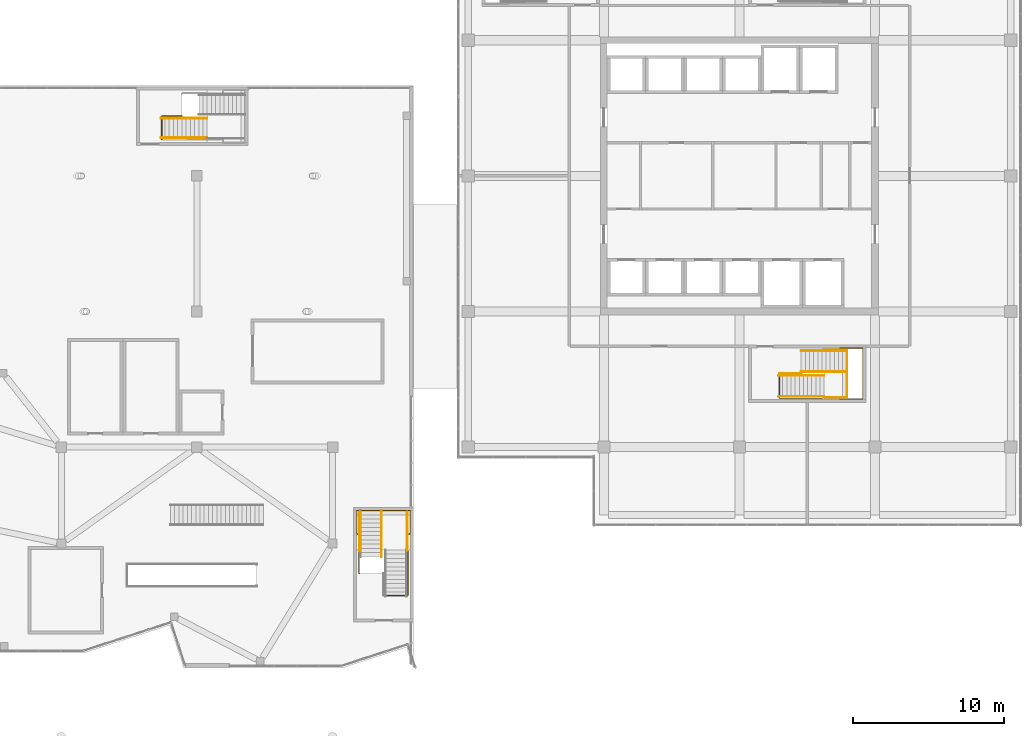
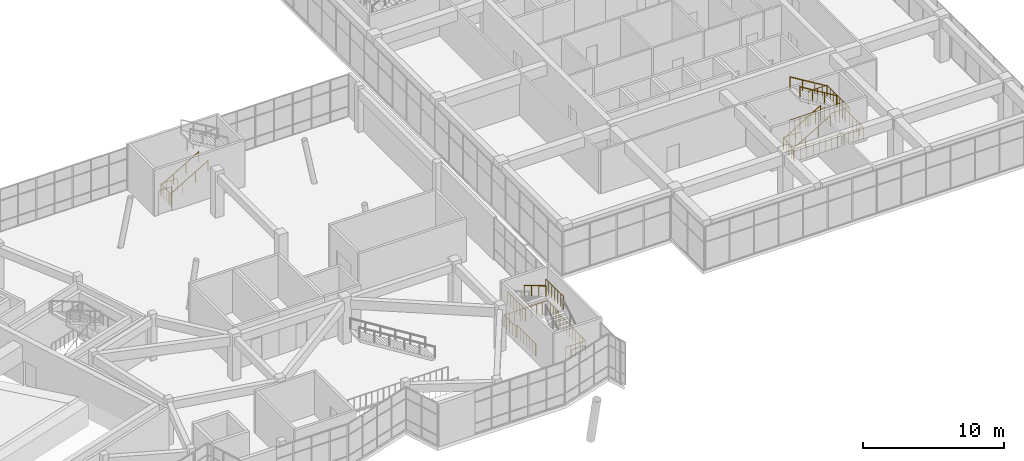
# One storey, part 64 of 66: 16 railings.
"""IFC4 building model written with IfcOpenShell, lengths in metres."""

import ifcopenshell
import ifcopenshell.guid

model = None  # the IFC model being written
_history = None  # IfcOwnerHistory: only IFC2X3 demands one
_inside = {}  # id of a spatial element -> (the spatial element, [elements in it])
_under = {}  # id of a project, library or spatial element -> (it, [spatial elements below it])
_declared = {}  # id of a project -> (the project, [libraries it declares])
_typed = {}  # id of a type object -> (the type object, [elements of that type])
_made_of = {}  # id of a material, layer set ... -> (it, [elements and type objects made of it])


def new_model(schema):
    """Start an empty IFC model of exactly this schema.

    Asked for "IFC4X3", IfcOpenShell would pick the latest addendum, in which some entities
    have other attributes; the version numbers below select the first issue.
    IFC2X3 requires an IfcOwnerHistory on every rooted entity: one is made here for all.
    """
    global model, _history
    if schema == "IFC4X3":
        model = ifcopenshell.file(schema_version=(4, 3, 0, 0))
    else:
        model = ifcopenshell.file(schema=schema)
    _inside.clear()
    _under.clear()
    _declared.clear()
    _typed.clear()
    _made_of.clear()
    _history = None
    if model.schema == "IFC2X3":
        org = make("IfcOrganization", Name="unknown")
        user = make(
            "IfcPersonAndOrganization",
            ThePerson=make("IfcPerson", FamilyName="unknown"),
            TheOrganization=org,
        )
        app = make(
            "IfcApplication",
            ApplicationDeveloper=org,
            Version="unknown",
            ApplicationFullName="unknown",
            ApplicationIdentifier="unknown",
        )
        _history = make(
            "IfcOwnerHistory",
            OwningUser=user,
            OwningApplication=app,
            ChangeAction="ADDED",
            CreationDate=0,
        )
    return model


def make(cls, **values):
    """One entity of the class cls with the attributes given. An attribute that is None is left unset."""
    return model.create_entity(
        cls, **{name: value for name, value in values.items() if value is not None}
    )


def rooted(cls, **values):
    """An entity with a GlobalId (a new one), such as an element, a storey or a relation."""
    return make(cls, GlobalId=ifcopenshell.guid.new(), OwnerHistory=_history, **values)


def si_unit(unit_type, name, prefix=None):
    """IfcSIUnit, for example si_unit("LENGTHUNIT", "METRE", prefix="MILLI")."""
    return make("IfcSIUnit", UnitType=unit_type, Prefix=prefix, Name=name)


def assignment(units):
    """IfcUnitAssignment: the units of a project."""
    return None if units is None else make("IfcUnitAssignment", Units=units)


def point(xyz):
    """IfcCartesianPoint."""
    return None if xyz is None else make("IfcCartesianPoint", Coordinates=xyz)


def direction(xyz):
    """IfcDirection."""
    return None if xyz is None else make("IfcDirection", DirectionRatios=xyz)


def frame(location, z_axis=None, x_axis=None):
    """IfcAxis2Placement3D, a coordinate frame: its origin and axes. An axis left out is left unset."""
    return make(
        "IfcAxis2Placement3D",
        Location=point(location),
        Axis=direction(z_axis),
        RefDirection=direction(x_axis),
    )


def frame_2d(location, x_axis=None):
    """IfcAxis2Placement2D, a coordinate frame in the plane: its origin and x axis."""
    return make(
        "IfcAxis2Placement2D", Location=point(location), RefDirection=direction(x_axis)
    )


def origin():
    """The frame at (0, 0, 0) with its axes left unset."""
    return frame((0.0, 0.0, 0.0))


def origin_2d():
    """The frame at (0, 0) in the plane with its x axis left unset."""
    return frame_2d((0.0, 0.0))


def place(relative_to, where):
    """IfcLocalPlacement: puts the frame where relative to a parent placement (None: the world)."""
    return make(
        "IfcLocalPlacement", PlacementRelTo=relative_to, RelativePlacement=where
    )


def context(
    kind, dimensions, precision=None, world=None, true_north=None, identifier=None
):
    """IfcGeometricRepresentationContext, for example the 3D "Model" context."""
    return make(
        "IfcGeometricRepresentationContext",
        ContextIdentifier=identifier,
        ContextType=kind,
        CoordinateSpaceDimension=dimensions,
        Precision=precision,
        WorldCoordinateSystem=world,
        TrueNorth=true_north,
    )


def subcontext(parent, identifier, kind, view, scale=None):
    """IfcGeometricRepresentationSubContext, for example "Body" below "Model"."""
    return make(
        "IfcGeometricRepresentationSubContext",
        ContextIdentifier=identifier,
        ContextType=kind,
        ParentContext=parent,
        TargetScale=scale,
        TargetView=view,
    )


def project(units=None, contexts=None):
    """IfcProject with its units and contexts."""
    return rooted(
        "IfcProject",
        Name="project",
        RepresentationContexts=contexts,
        UnitsInContext=assignment(units),
    )


def spatial(cls, under=None, at=None, **own):
    """A site, building, storey or space (cls), placed at a placement, below another one or the project."""
    s = rooted(cls, ObjectPlacement=at, **own)
    if under is not None:
        _under.setdefault(under.id(), (under, []))[1].append(s)
    return s


def profile(cls, at=None, kind="AREA", **sizes):
    """A parametric profile (cls). Its sizes go by their IFC names, for example OverallWidth=200.0."""
    return make(cls, ProfileType=kind, Position=at, **sizes)


def circle(**sizes):
    """IfcCircleProfileDef."""
    return profile("IfcCircleProfileDef", **sizes)


def extrude(swept, where, along, depth):
    """IfcExtrudedAreaSolid: the profile swept, set in the frame where, extruded along a direction by depth."""
    return make(
        "IfcExtrudedAreaSolid",
        SweptArea=swept,
        Position=where,
        ExtrudedDirection=direction(along),
        Depth=depth,
    )


def shape(context_of_items, identifier, shape_type, items):
    """IfcShapeRepresentation: the items that make up one representation, for example the "Body"."""
    return make(
        "IfcShapeRepresentation",
        ContextOfItems=context_of_items,
        RepresentationIdentifier=identifier,
        RepresentationType=shape_type,
        Items=items,
    )


def material(Name=None, Category=None):
    """IfcMaterial."""
    return make("IfcMaterial", Name=Name, Category=Category)


def made_of(thing, what):
    """Note that an element or type object is made of a material, layer set ...; save() writes the relation."""
    if what is not None:
        _made_of.setdefault(what.id(), (what, []))[1].append(thing)
    return thing


def type_object(cls, material=None, **own):
    """A type object (cls), such as IfcWallType, which elements share."""
    return made_of(rooted(cls, **own), material)


def element(
    cls,
    number,
    at=None,
    inside=None,
    cuts=None,
    type_object=None,
    material=None,
    context=None,
    identifier="Body",
    shape_type=None,
    held_by="IfcProductDefinitionShape",
    body=None,
    shapes=None,
    **own,
):
    """One element of the class cls, such as IfcWall. Its Tag is "e" and its number.

    at: its placement. inside: the storey or other place that contains it. cuts: it is an
    opening in that element (IfcRelVoidsElement). A single representation is given by context,
    identifier, shape_type and body (its items); several are given by shapes. held_by: the class
    of the entity that holds the representations. save() writes the other relations.
    """
    e = rooted(cls, Tag="e%d" % number, ObjectPlacement=at, **own)
    if body is not None:
        shapes = [shape(context, identifier, shape_type, body)]
    if shapes is not None:
        e.Representation = make(held_by, Representations=shapes)
    if inside is not None:
        _inside.setdefault(inside.id(), (inside, []))[1].append(e)
    if cuts is not None:
        rooted(
            "IfcRelVoidsElement", RelatingBuildingElement=cuts, RelatedOpeningElement=e
        )
    if type_object is not None:
        _typed.setdefault(type_object.id(), (type_object, []))[1].append(e)
    return made_of(e, material)


def aggregate(whole, parts):
    """IfcRelAggregates: a whole, such as a stair, and the parts it consists of."""
    return rooted("IfcRelAggregates", RelatingObject=whole, RelatedObjects=parts)


def save(model, path):
    """Write the relations noted so far, then the file.

    IfcRelAggregates (storeys below a building ...), IfcRelContainedInSpatialStructure (elements
    in a storey), IfcRelDefinesByType, IfcRelAssociatesMaterial and IfcRelDeclares: one each for
    every whole, place, type object, material and project.
    """
    for whole, parts in _under.values():
        aggregate(whole, parts)
    for where, things in _inside.values():
        rooted(
            "IfcRelContainedInSpatialStructure",
            RelatedElements=things,
            RelatingStructure=where,
        )
    for kind, things in _typed.values():
        rooted("IfcRelDefinesByType", RelatedObjects=things, RelatingType=kind)
    for what, things in _made_of.values():
        rooted("IfcRelAssociatesMaterial", RelatedObjects=things, RelatingMaterial=what)
    for by, libraries in _declared.values():
        rooted("IfcRelDeclares", RelatingContext=by, RelatedDefinitions=libraries)
    model.write(path)


model = new_model("IFC4")

# Units and contexts
model_context = context("Model", 3, precision=1e-05, world=origin(), true_north=direction((0.0, 1.0)))
body_context = subcontext(model_context, "Body", "Model", "MODEL_VIEW")
ifc_project = project(units=[si_unit("LENGTHUNIT", "METRE"), si_unit("AREAUNIT", "SQUARE_METRE"), si_unit("VOLUMEUNIT", "CUBIC_METRE"), si_unit("PLANEANGLEUNIT", "RADIAN"), si_unit("MASSUNIT", "GRAM", prefix="KILO")], contexts=[model_context])

# Site, building, storey
site_placement = place(None, origin())
site = spatial("IfcSite", under=ifc_project, at=site_placement, CompositionType="ELEMENT")
building_placement = place(site_placement, origin())
building = spatial("IfcBuilding", under=site, at=building_placement, Name="Tuart Plaza Theatre", CompositionType="ELEMENT")
storey_placement = place(building_placement, frame((0.0, 0.0, 5.5)))
storey = spatial("IfcBuildingStorey", under=building, at=storey_placement, Name="L01", CompositionType="ELEMENT", Elevation=5.5)

# Railings
ifc_material_1 = material(Name="Steel Grade C350L0", Category="steel")
railing_type_1 = type_object("IfcRailingType", Name="RAILING Guard 1100", PredefinedType="GUARDRAIL", material=ifc_material_1)
railing_1_placement = place(storey_placement, frame((93.659912109375, 76.425048828125, 0.0)))
element("IfcRailing", 1, at=railing_1_placement, inside=storey, type_object=railing_type_1, Name="GR131", PredefinedType="GUARDRAIL", context=body_context, shape_type="SweptSolid", body=[
    extrude(circle(Radius=0.02490234375, at=origin_2d()), frame((0.0, 0.0, 1.0751953125), z_axis=(0.0, 1.0, 0.0), x_axis=(-1.0, 0.0, 0.0)), (0.0, 0.0, 1.0), 1.52490234375),
    extrude(circle(Radius=0.02490234375, at=origin_2d()), frame((0.0, 1.52490234375, 1.0751953125), z_axis=(1.0, 0.0, 0.0), x_axis=(0.0, 1.0, 0.0)), (0.0, 0.0, 1.0), 1.35498046875),
    extrude(circle(Radius=0.02001953125, at=origin_2d()), origin(), (0.0, 0.0, 1.0), 1.050048828125),
    extrude(circle(Radius=0.02001953125, at=origin_2d()), frame((0.0, 0.38134765625, 0.0)), (0.0, 0.0, 1.0), 1.050048828125),
    extrude(circle(Radius=0.02001953125, at=origin_2d()), frame((0.0, 0.762451171875, 0.0)), (0.0, 0.0, 1.0), 1.050048828125),
    extrude(circle(Radius=0.02001953125, at=origin_2d()), frame((0.0, 1.1435546875, 0.0)), (0.0, 0.0, 1.0), 1.050048828125),
    extrude(circle(Radius=0.02001953125, at=origin_2d()), frame((0.0, 1.52490234375, 0.0)), (0.0, 0.0, 1.0), 1.050048828125),
    extrude(circle(Radius=0.02001953125, at=origin_2d()), frame((0.45166015625, 1.52490234375, 0.0)), (0.0, 0.0, 1.0), 1.050048828125),
    extrude(circle(Radius=0.02001953125, at=origin_2d()), frame((0.9033203125, 1.52490234375, 0.0)), (0.0, 0.0, 1.0), 1.050048828125),
    extrude(circle(Radius=0.02001953125, at=origin_2d()), frame((1.35498046875, 1.52490234375, 0.0)), (0.0, 0.0, 1.0), 1.050048828125),
])
railing_2_placement = place(storey_placement, frame((106.800048828125, 47.6201171875, 0.0)))
element("IfcRailing", 2, at=railing_2_placement, inside=storey, type_object=railing_type_1, Name="GR144", PredefinedType="GUARDRAIL", context=body_context, shape_type="SweptSolid", body=[
    extrude(circle(Radius=0.02490234375, at=origin_2d()), frame((0.0, 0.0, 1.0751953125), z_axis=(-1.0, 0.0, 0.0), x_axis=(0.0, -1.0, 0.0)), (0.0, 0.0, 1.0), 0.045166015625),
    extrude(circle(Radius=0.02490234375, at=origin_2d()), frame((-0.045166015625, 0.0, 1.0751953125), z_axis=(0.0, 1.0, 0.0), x_axis=(-1.0, 0.0, 0.0)), (0.0, 0.0, 1.0), 2.60986328125),
    extrude(circle(Radius=0.02490234375, at=origin_2d()), frame((-0.045166015625, 2.60986328125, 1.0751953125), z_axis=(-1.0, 0.0, 0.0), x_axis=(0.0, -1.0, 0.0)), (0.0, 0.0, 1.0), 0.15478515625),
    extrude(circle(Radius=0.02490234375, at=origin_2d()), frame((-0.199951171875, 2.60986328125, 1.0751953125), z_axis=(0.0, 1.0, 0.0), x_axis=(-1.0, 0.0, 0.0)), (0.0, 0.0, 1.0), 1.570068359375),
    extrude(circle(Radius=0.02490234375, at=origin_2d()), frame((-0.199951171875, 4.179931640625, 1.0751953125), z_axis=(1.0, 0.0, 0.0), x_axis=(0.0, 1.0, 0.0)), (0.0, 0.0, 1.0), 3.559814453125),
    extrude(circle(Radius=0.02490234375, at=origin_2d()), frame((3.35986328125, 4.179931640625, 1.0751953125), z_axis=(0.0, -1.0, 0.0), x_axis=(1.0, 0.0, 0.0)), (0.0, 0.0, 1.0), 1.570068359375),
    extrude(circle(Radius=0.02490234375, at=origin_2d()), frame((3.35986328125, 2.60986328125, 1.0751953125), z_axis=(-1.0, 0.0, 0.0), x_axis=(0.0, -1.0, 0.0)), (0.0, 0.0, 1.0), 0.155029296875),
    extrude(circle(Radius=0.02490234375, at=origin_2d()), frame((3.204833984375, 2.60986328125, 1.0751953125), z_axis=(0.0, -1.0, 0.0), x_axis=(1.0, 0.0, 0.0)), (0.0, 0.0, 1.0), 4.070068359375),
    extrude(circle(Radius=0.02490234375, at=origin_2d()), frame((3.204833984375, -1.460205078125, 1.0751953125), z_axis=(-1.0, 0.0, 0.0), x_axis=(0.0, -1.0, 0.0)), (0.0, 0.0, 1.0), 1.625),
    extrude(circle(Radius=0.02001953125, at=origin_2d()), origin(), (0.0, 0.0, 1.0), 1.050048828125),
    extrude(circle(Radius=0.02001953125, at=origin_2d()), frame((-0.045166015625, 0.0, 0.0)), (0.0, 0.0, 1.0), 1.050048828125),
    extrude(circle(Radius=0.02001953125, at=origin_2d()), frame((-0.045166015625, 0.43505859375, 0.0)), (0.0, 0.0, 1.0), 1.050048828125),
    extrude(circle(Radius=0.02001953125, at=origin_2d()), frame((-0.045166015625, 0.869873046875, 0.0)), (0.0, 0.0, 1.0), 1.050048828125),
    extrude(circle(Radius=0.02001953125, at=origin_2d()), frame((-0.045166015625, 1.304931640625, 0.0)), (0.0, 0.0, 1.0), 1.050048828125),
    extrude(circle(Radius=0.02001953125, at=origin_2d()), frame((-0.045166015625, 1.739990234375, 0.0)), (0.0, 0.0, 1.0), 1.050048828125),
    extrude(circle(Radius=0.02001953125, at=origin_2d()), frame((-0.045166015625, 2.1748046875, 0.0)), (0.0, 0.0, 1.0), 1.050048828125),
    extrude(circle(Radius=0.02001953125, at=origin_2d()), frame((-0.045166015625, 2.60986328125, 0.0)), (0.0, 0.0, 1.0), 1.050048828125),
    extrude(circle(Radius=0.02001953125, at=origin_2d()), frame((-0.199951171875, 2.60986328125, 0.0)), (0.0, 0.0, 1.0), 1.050048828125),
    extrude(circle(Radius=0.02001953125, at=origin_2d()), frame((-0.199951171875, 3.00244140625, 0.0)), (0.0, 0.0, 1.0), 1.050048828125),
    extrude(circle(Radius=0.02001953125, at=origin_2d()), frame((-0.199951171875, 3.39501953125, 0.0)), (0.0, 0.0, 1.0), 1.050048828125),
    extrude(circle(Radius=0.02001953125, at=origin_2d()), frame((-0.199951171875, 3.787353515625, 0.0)), (0.0, 0.0, 1.0), 1.050048828125),
    extrude(circle(Radius=0.02001953125, at=origin_2d()), frame((-0.199951171875, 4.179931640625, 0.0)), (0.0, 0.0, 1.0), 1.050048828125),
    extrude(circle(Radius=0.02001953125, at=origin_2d()), frame((0.2451171875, 4.179931640625, 0.0)), (0.0, 0.0, 1.0), 1.050048828125),
    extrude(circle(Radius=0.02001953125, at=origin_2d()), frame((0.68994140625, 4.179931640625, 0.0)), (0.0, 0.0, 1.0), 1.050048828125),
    extrude(circle(Radius=0.02001953125, at=origin_2d()), frame((1.135009765625, 4.179931640625, 0.0)), (0.0, 0.0, 1.0), 1.050048828125),
    extrude(circle(Radius=0.02001953125, at=origin_2d()), frame((1.580078125, 4.179931640625, 0.0)), (0.0, 0.0, 1.0), 1.050048828125),
    extrude(circle(Radius=0.02001953125, at=origin_2d()), frame((2.02490234375, 4.179931640625, 0.0)), (0.0, 0.0, 1.0), 1.050048828125),
    extrude(circle(Radius=0.02001953125, at=origin_2d()), frame((2.469970703125, 4.179931640625, 0.0)), (0.0, 0.0, 1.0), 1.050048828125),
    extrude(circle(Radius=0.02001953125, at=origin_2d()), frame((2.914794921875, 4.179931640625, 0.0)), (0.0, 0.0, 1.0), 1.050048828125),
    extrude(circle(Radius=0.02001953125, at=origin_2d()), frame((3.35986328125, 4.179931640625, 0.0)), (0.0, 0.0, 1.0), 1.050048828125),
    extrude(circle(Radius=0.02001953125, at=origin_2d()), frame((3.35986328125, 3.787353515625, 0.0)), (0.0, 0.0, 1.0), 1.050048828125),
    extrude(circle(Radius=0.02001953125, at=origin_2d()), frame((3.35986328125, 3.39501953125, 0.0)), (0.0, 0.0, 1.0), 1.050048828125),
    extrude(circle(Radius=0.02001953125, at=origin_2d()), frame((3.35986328125, 3.00244140625, 0.0)), (0.0, 0.0, 1.0), 1.050048828125),
    extrude(circle(Radius=0.02001953125, at=origin_2d()), frame((3.35986328125, 2.60986328125, 0.0)), (0.0, 0.0, 1.0), 1.050048828125),
    extrude(circle(Radius=0.02001953125, at=origin_2d()), frame((3.204833984375, 2.60986328125, 0.0)), (0.0, 0.0, 1.0), 1.050048828125),
    extrude(circle(Radius=0.02001953125, at=origin_2d()), frame((3.204833984375, 2.15771484375, 0.0)), (0.0, 0.0, 1.0), 1.050048828125),
    extrude(circle(Radius=0.02001953125, at=origin_2d()), frame((3.204833984375, 1.705322265625, 0.0)), (0.0, 0.0, 1.0), 1.050048828125),
    extrude(circle(Radius=0.02001953125, at=origin_2d()), frame((3.204833984375, 1.253173828125, 0.0)), (0.0, 0.0, 1.0), 1.050048828125),
    extrude(circle(Radius=0.02001953125, at=origin_2d()), frame((3.204833984375, 0.801025390625, 0.0)), (0.0, 0.0, 1.0), 1.050048828125),
    extrude(circle(Radius=0.02001953125, at=origin_2d()), frame((3.204833984375, 0.3486328125, 0.0)), (0.0, 0.0, 1.0), 1.050048828125),
    extrude(circle(Radius=0.02001953125, at=origin_2d()), frame((3.204833984375, -0.103515625, 0.0)), (0.0, 0.0, 1.0), 1.050048828125),
    extrude(circle(Radius=0.02001953125, at=origin_2d()), frame((3.204833984375, -0.5556640625, 0.0)), (0.0, 0.0, 1.0), 1.050048828125),
    extrude(circle(Radius=0.02001953125, at=origin_2d()), frame((3.204833984375, -1.008056640625, 0.0)), (0.0, 0.0, 1.0), 1.050048828125),
    extrude(circle(Radius=0.02001953125, at=origin_2d()), frame((3.204833984375, -1.460205078125, 0.0)), (0.0, 0.0, 1.0), 1.050048828125),
    extrude(circle(Radius=0.02001953125, at=origin_2d()), frame((2.798583984375, -1.460205078125, 0.0)), (0.0, 0.0, 1.0), 1.050048828125),
    extrude(circle(Radius=0.02001953125, at=origin_2d()), frame((2.392333984375, -1.460205078125, 0.0)), (0.0, 0.0, 1.0), 1.050048828125),
    extrude(circle(Radius=0.02001953125, at=origin_2d()), frame((1.986083984375, -1.460205078125, 0.0)), (0.0, 0.0, 1.0), 1.050048828125),
    extrude(circle(Radius=0.02001953125, at=origin_2d()), frame((1.579833984375, -1.460205078125, 0.0)), (0.0, 0.0, 1.0), 1.050048828125),
])
railing_3_placement = place(storey_placement, frame((109.955078125, 49.159912109375, 2.0)))
element("IfcRailing", 3, at=railing_3_placement, inside=storey, type_object=railing_type_1, Name="GR149", PredefinedType="GUARDRAIL", context=body_context, shape_type="SweptSolid", body=[
    extrude(circle(Radius=0.02490234375, at=origin_2d()), frame((0.0, 0.0, 1.0751953125), z_axis=(0.0, 1.0, 0.0), x_axis=(-1.0, 0.0, 0.0)), (0.0, 0.0, 1.0), 2.52001953125),
    extrude(circle(Radius=0.02001953125, at=origin_2d()), origin(), (0.0, 0.0, 1.0), 1.050048828125),
    extrude(circle(Radius=0.02001953125, at=origin_2d()), frame((0.0, 0.419921875, 0.0)), (0.0, 0.0, 1.0), 1.050048828125),
    extrude(circle(Radius=0.02001953125, at=origin_2d()), frame((0.0, 0.840087890625, 0.0)), (0.0, 0.0, 1.0), 1.050048828125),
    extrude(circle(Radius=0.02001953125, at=origin_2d()), frame((0.0, 1.260009765625, 0.0)), (0.0, 0.0, 1.0), 1.050048828125),
    extrude(circle(Radius=0.02001953125, at=origin_2d()), frame((0.0, 1.679931640625, 0.0)), (0.0, 0.0, 1.0), 1.050048828125),
    extrude(circle(Radius=0.02001953125, at=origin_2d()), frame((0.0, 2.10009765625, 0.0)), (0.0, 0.0, 1.0), 1.050048828125),
    extrude(circle(Radius=0.02001953125, at=origin_2d()), frame((0.0, 2.52001953125, 0.0)), (0.0, 0.0, 1.0), 1.050048828125),
])
railing_4_placement = place(storey_placement, frame((106.804931640625, 51.679931640625, 2.0)))
element("IfcRailing", 4, at=railing_4_placement, inside=storey, type_object=railing_type_1, Name="GR150", PredefinedType="GUARDRAIL", context=body_context, shape_type="SweptSolid", body=[
    extrude(circle(Radius=0.02490234375, at=origin_2d()), frame((0.0, 0.0, 1.0751953125), z_axis=(0.0, -1.0, 0.0), x_axis=(1.0, 0.0, 0.0)), (0.0, 0.0, 1.0), 2.52001953125),
    extrude(circle(Radius=0.02001953125, at=origin_2d()), origin(), (0.0, 0.0, 1.0), 1.050048828125),
    extrude(circle(Radius=0.02001953125, at=origin_2d()), frame((0.0, -0.419921875, 0.0)), (0.0, 0.0, 1.0), 1.050048828125),
    extrude(circle(Radius=0.02001953125, at=origin_2d()), frame((0.0, -0.840087890625, 0.0)), (0.0, 0.0, 1.0), 1.050048828125),
    extrude(circle(Radius=0.02001953125, at=origin_2d()), frame((0.0, -1.260009765625, 0.0)), (0.0, 0.0, 1.0), 1.050048828125),
    extrude(circle(Radius=0.02001953125, at=origin_2d()), frame((0.0, -1.679931640625, 0.0)), (0.0, 0.0, 1.0), 1.050048828125),
    extrude(circle(Radius=0.02001953125, at=origin_2d()), frame((0.0, -2.10009765625, 0.0)), (0.0, 0.0, 1.0), 1.050048828125),
    extrude(circle(Radius=0.02001953125, at=origin_2d()), frame((0.0, -2.52001953125, 0.0)), (0.0, 0.0, 1.0), 1.050048828125),
])
railing_5_placement = place(storey_placement, frame((134.655029296875, 60.875, 0.0)))
element("IfcRailing", 5, at=railing_5_placement, inside=storey, type_object=railing_type_1, Name="GR200", PredefinedType="GUARDRAIL", context=body_context, shape_type="SweptSolid", body=[
    extrude(circle(Radius=0.02490234375, at=origin_2d()), frame((0.0, 0.0, 1.0751953125), z_axis=(1.0, 0.0, 0.0), x_axis=(0.0, 1.0, 0.0)), (0.0, 0.0, 1.0), 1.455078125),
    extrude(circle(Radius=0.02001953125, at=origin_2d()), origin(), (0.0, 0.0, 1.0), 1.050048828125),
    extrude(circle(Radius=0.02001953125, at=origin_2d()), frame((0.485107421875, 0.0, 0.0)), (0.0, 0.0, 1.0), 1.050048828125),
    extrude(circle(Radius=0.02001953125, at=origin_2d()), frame((0.969970703125, 0.0, 0.0)), (0.0, 0.0, 1.0), 1.050048828125),
    extrude(circle(Radius=0.02001953125, at=origin_2d()), frame((1.455078125, 0.0, 0.0)), (0.0, 0.0, 1.0), 1.050048828125),
])
railing_6_placement = place(storey_placement, frame((136.114990234375, 62.455078125, 0.0)))
element("IfcRailing", 6, at=railing_6_placement, inside=storey, type_object=railing_type_1, Name="GR201", PredefinedType="GUARDRAIL", context=body_context, shape_type="SweptSolid", body=[
    extrude(circle(Radius=0.02490234375, at=origin_2d()), frame((0.0, 0.0, 1.0751953125), z_axis=(0.0, 1.0, 0.0), x_axis=(-1.0, 0.0, 0.0)), (0.0, 0.0, 1.0), 0.044921875),
    extrude(circle(Radius=0.02490234375, at=origin_2d()), frame((0.0, 0.044921875, 1.0751953125), z_axis=(1.0, 0.0, 0.0), x_axis=(0.0, 1.0, 0.0)), (0.0, 0.0, 1.0), 2.534912109375),
    extrude(circle(Radius=0.02490234375, at=origin_2d()), frame((2.534912109375, 0.044921875, 1.0751953125), z_axis=(0.0, 1.0, 0.0), x_axis=(-1.0, 0.0, 0.0)), (0.0, 0.0, 1.0), 0.074951171875),
    extrude(circle(Radius=0.02490234375, at=origin_2d()), frame((2.534912109375, 0.119873046875, 1.0751953125), z_axis=(1.0, 0.0, 0.0), x_axis=(0.0, 1.0, 0.0)), (0.0, 0.0, 1.0), 1.550048828125),
    extrude(circle(Radius=0.02490234375, at=origin_2d()), frame((4.0849609375, 0.119873046875, 1.0751953125), z_axis=(0.0, -1.0, 0.0), x_axis=(1.0, 0.0, 0.0)), (0.0, 0.0, 1.0), 3.39990234375),
    extrude(circle(Radius=0.02490234375, at=origin_2d()), frame((4.0849609375, -3.280029296875, 1.0751953125), z_axis=(-1.0, 0.0, 0.0), x_axis=(0.0, -1.0, 0.0)), (0.0, 0.0, 1.0), 1.550048828125),
    extrude(circle(Radius=0.02490234375, at=origin_2d()), frame((2.534912109375, -3.280029296875, 1.0751953125), z_axis=(0.0, 1.0, 0.0), x_axis=(-1.0, 0.0, 0.0)), (0.0, 0.0, 1.0), 0.074951171875),
    extrude(circle(Radius=0.02490234375, at=origin_2d()), frame((2.534912109375, -3.205078125, 1.0751953125), z_axis=(-1.0, 0.0, 0.0), x_axis=(0.0, -1.0, 0.0)), (0.0, 0.0, 1.0), 3.994873046875),
    extrude(circle(Radius=0.02490234375, at=origin_2d()), frame((-1.4599609375, -3.205078125, 1.0751953125), z_axis=(0.0, 1.0, 0.0), x_axis=(-1.0, 0.0, 0.0)), (0.0, 0.0, 1.0), 1.625),
    extrude(circle(Radius=0.02001953125, at=origin_2d()), origin(), (0.0, 0.0, 1.0), 1.050048828125),
    extrude(circle(Radius=0.02001953125, at=origin_2d()), frame((0.0, 0.044921875, 0.0)), (0.0, 0.0, 1.0), 1.050048828125),
    extrude(circle(Radius=0.02001953125, at=origin_2d()), frame((0.42236328125, 0.044921875, 0.0)), (0.0, 0.0, 1.0), 1.050048828125),
    extrude(circle(Radius=0.02001953125, at=origin_2d()), frame((0.844970703125, 0.044921875, 0.0)), (0.0, 0.0, 1.0), 1.050048828125),
    extrude(circle(Radius=0.02001953125, at=origin_2d()), frame((1.267578125, 0.044921875, 0.0)), (0.0, 0.0, 1.0), 1.050048828125),
    extrude(circle(Radius=0.02001953125, at=origin_2d()), frame((1.68994140625, 0.044921875, 0.0)), (0.0, 0.0, 1.0), 1.050048828125),
    extrude(circle(Radius=0.02001953125, at=origin_2d()), frame((2.1123046875, 0.044921875, 0.0)), (0.0, 0.0, 1.0), 1.050048828125),
    extrude(circle(Radius=0.02001953125, at=origin_2d()), frame((2.534912109375, 0.044921875, 0.0)), (0.0, 0.0, 1.0), 1.050048828125),
    extrude(circle(Radius=0.02001953125, at=origin_2d()), frame((2.534912109375, 0.119873046875, 0.0)), (0.0, 0.0, 1.0), 1.050048828125),
    extrude(circle(Radius=0.02001953125, at=origin_2d()), frame((2.92236328125, 0.119873046875, 0.0)), (0.0, 0.0, 1.0), 1.050048828125),
    extrude(circle(Radius=0.02001953125, at=origin_2d()), frame((3.31005859375, 0.119873046875, 0.0)), (0.0, 0.0, 1.0), 1.050048828125),
    extrude(circle(Radius=0.02001953125, at=origin_2d()), frame((3.697509765625, 0.119873046875, 0.0)), (0.0, 0.0, 1.0), 1.050048828125),
    extrude(circle(Radius=0.02001953125, at=origin_2d()), frame((4.0849609375, 0.119873046875, 0.0)), (0.0, 0.0, 1.0), 1.050048828125),
    extrude(circle(Radius=0.02001953125, at=origin_2d()), frame((4.0849609375, -0.36572265625, 0.0)), (0.0, 0.0, 1.0), 1.050048828125),
    extrude(circle(Radius=0.02001953125, at=origin_2d()), frame((4.0849609375, -0.8515625, 0.0)), (0.0, 0.0, 1.0), 1.050048828125),
    extrude(circle(Radius=0.02001953125, at=origin_2d()), frame((4.0849609375, -1.337158203125, 0.0)), (0.0, 0.0, 1.0), 1.050048828125),
    extrude(circle(Radius=0.02001953125, at=origin_2d()), frame((4.0849609375, -1.822998046875, 0.0)), (0.0, 0.0, 1.0), 1.050048828125),
    extrude(circle(Radius=0.02001953125, at=origin_2d()), frame((4.0849609375, -2.30859375, 0.0)), (0.0, 0.0, 1.0), 1.050048828125),
    extrude(circle(Radius=0.02001953125, at=origin_2d()), frame((4.0849609375, -2.79443359375, 0.0)), (0.0, 0.0, 1.0), 1.050048828125),
    extrude(circle(Radius=0.02001953125, at=origin_2d()), frame((4.0849609375, -3.280029296875, 0.0)), (0.0, 0.0, 1.0), 1.050048828125),
    extrude(circle(Radius=0.02001953125, at=origin_2d()), frame((3.697509765625, -3.280029296875, 0.0)), (0.0, 0.0, 1.0), 1.050048828125),
    extrude(circle(Radius=0.02001953125, at=origin_2d()), frame((3.31005859375, -3.280029296875, 0.0)), (0.0, 0.0, 1.0), 1.050048828125),
    extrude(circle(Radius=0.02001953125, at=origin_2d()), frame((2.92236328125, -3.280029296875, 0.0)), (0.0, 0.0, 1.0), 1.050048828125),
    extrude(circle(Radius=0.02001953125, at=origin_2d()), frame((2.534912109375, -3.280029296875, 0.0)), (0.0, 0.0, 1.0), 1.050048828125),
    extrude(circle(Radius=0.02001953125, at=origin_2d()), frame((2.534912109375, -3.205078125, 0.0)), (0.0, 0.0, 1.0), 1.050048828125),
    extrude(circle(Radius=0.02001953125, at=origin_2d()), frame((2.03564453125, -3.205078125, 0.0)), (0.0, 0.0, 1.0), 1.050048828125),
    extrude(circle(Radius=0.02001953125, at=origin_2d()), frame((1.5361328125, -3.205078125, 0.0)), (0.0, 0.0, 1.0), 1.050048828125),
    extrude(circle(Radius=0.02001953125, at=origin_2d()), frame((1.036865234375, -3.205078125, 0.0)), (0.0, 0.0, 1.0), 1.050048828125),
    extrude(circle(Radius=0.02001953125, at=origin_2d()), frame((0.53759765625, -3.205078125, 0.0)), (0.0, 0.0, 1.0), 1.050048828125),
    extrude(circle(Radius=0.02001953125, at=origin_2d()), frame((0.0380859375, -3.205078125, 0.0)), (0.0, 0.0, 1.0), 1.050048828125),
    extrude(circle(Radius=0.02001953125, at=origin_2d()), frame((-0.461181640625, -3.205078125, 0.0)), (0.0, 0.0, 1.0), 1.050048828125),
    extrude(circle(Radius=0.02001953125, at=origin_2d()), frame((-0.960693359375, -3.205078125, 0.0)), (0.0, 0.0, 1.0), 1.050048828125),
    extrude(circle(Radius=0.02001953125, at=origin_2d()), frame((-1.4599609375, -3.205078125, 0.0)), (0.0, 0.0, 1.0), 1.050048828125),
    extrude(circle(Radius=0.02001953125, at=origin_2d()), frame((-1.4599609375, -2.798828125, 0.0)), (0.0, 0.0, 1.0), 1.050048828125),
    extrude(circle(Radius=0.02001953125, at=origin_2d()), frame((-1.4599609375, -2.392578125, 0.0)), (0.0, 0.0, 1.0), 1.050048828125),
    extrude(circle(Radius=0.02001953125, at=origin_2d()), frame((-1.4599609375, -1.986328125, 0.0)), (0.0, 0.0, 1.0), 1.050048828125),
    extrude(circle(Radius=0.02001953125, at=origin_2d()), frame((-1.4599609375, -1.580078125, 0.0)), (0.0, 0.0, 1.0), 1.050048828125),
])
railing_7_placement = place(storey_placement, frame((137.60009765625, 59.300048828125, 2.0)))
element("IfcRailing", 7, at=railing_7_placement, inside=storey, type_object=railing_type_1, Name="GR206", PredefinedType="GUARDRAIL", context=body_context, shape_type="SweptSolid", body=[
    extrude(circle(Radius=0.02490234375, at=origin_2d()), frame((0.0, 0.0, 1.0751953125), z_axis=(1.0, 0.0, 0.0), x_axis=(0.0, 1.0, 0.0)), (0.0, 0.0, 1.0), 1.52978515625),
    extrude(circle(Radius=0.02001953125, at=origin_2d()), origin(), (0.0, 0.0, 1.0), 1.050048828125),
    extrude(circle(Radius=0.02001953125, at=origin_2d()), frame((0.38232421875, 0.0, 0.0)), (0.0, 0.0, 1.0), 1.050048828125),
    extrude(circle(Radius=0.02001953125, at=origin_2d()), frame((0.764892578125, 0.0, 0.0)), (0.0, 0.0, 1.0), 1.050048828125),
    extrude(circle(Radius=0.02001953125, at=origin_2d()), frame((1.1474609375, 0.0, 0.0)), (0.0, 0.0, 1.0), 1.050048828125),
    extrude(circle(Radius=0.02001953125, at=origin_2d()), frame((1.52978515625, 0.0, 0.0)), (0.0, 0.0, 1.0), 1.050048828125),
])
railing_8_placement = place(storey_placement, frame((139.1298828125, 59.300048828125, 2.0)))
element("IfcRailing", 8, at=railing_8_placement, inside=storey, type_object=railing_type_1, Name="GR207", PredefinedType="GUARDRAIL", context=body_context, shape_type="SweptSolid", body=[
    extrude(circle(Radius=0.02490234375, at=origin_2d()), frame((0.0, 0.0, 1.0751953125), z_axis=(0.0, 1.0, 0.0), x_axis=(-1.0, 0.0, 0.0)), (0.0, 0.0, 1.0), 3.14990234375),
    extrude(circle(Radius=0.02001953125, at=origin_2d()), origin(), (0.0, 0.0, 1.0), 1.050048828125),
    extrude(circle(Radius=0.02001953125, at=origin_2d()), frame((0.0, 0.449951171875, 0.0)), (0.0, 0.0, 1.0), 1.050048828125),
    extrude(circle(Radius=0.02001953125, at=origin_2d()), frame((0.0, 0.89990234375, 0.0)), (0.0, 0.0, 1.0), 1.050048828125),
    extrude(circle(Radius=0.02001953125, at=origin_2d()), frame((0.0, 1.349853515625, 0.0)), (0.0, 0.0, 1.0), 1.050048828125),
    extrude(circle(Radius=0.02001953125, at=origin_2d()), frame((0.0, 1.800048828125, 0.0)), (0.0, 0.0, 1.0), 1.050048828125),
    extrude(circle(Radius=0.02001953125, at=origin_2d()), frame((0.0, 2.25, 0.0)), (0.0, 0.0, 1.0), 1.050048828125),
    extrude(circle(Radius=0.02001953125, at=origin_2d()), frame((0.0, 2.699951171875, 0.0)), (0.0, 0.0, 1.0), 1.050048828125),
    extrude(circle(Radius=0.02001953125, at=origin_2d()), frame((0.0, 3.14990234375, 0.0)), (0.0, 0.0, 1.0), 1.050048828125),
])
railing_9_placement = place(storey_placement, frame((139.1298828125, 62.449951171875, 2.0)))
element("IfcRailing", 9, at=railing_9_placement, inside=storey, type_object=railing_type_1, Name="GR208", PredefinedType="GUARDRAIL", context=body_context, shape_type="SweptSolid", body=[
    extrude(circle(Radius=0.02490234375, at=origin_2d()), frame((0.0, 0.0, 1.0751953125), z_axis=(-1.0, 0.0, 0.0), x_axis=(0.0, -1.0, 0.0)), (0.0, 0.0, 1.0), 1.52978515625),
    extrude(circle(Radius=0.02001953125, at=origin_2d()), origin(), (0.0, 0.0, 1.0), 1.050048828125),
    extrude(circle(Radius=0.02001953125, at=origin_2d()), frame((-0.38232421875, 0.0, 0.0)), (0.0, 0.0, 1.0), 1.050048828125),
    extrude(circle(Radius=0.02001953125, at=origin_2d()), frame((-0.764892578125, 0.0, 0.0)), (0.0, 0.0, 1.0), 1.050048828125),
    extrude(circle(Radius=0.02001953125, at=origin_2d()), frame((-1.1474609375, 0.0, 0.0)), (0.0, 0.0, 1.0), 1.050048828125),
    extrude(circle(Radius=0.02001953125, at=origin_2d()), frame((-1.52978515625, 0.0, 0.0)), (0.0, 0.0, 1.0), 1.050048828125),
])
ifc_material_2 = material(Name="Steel Grade C350L0", Category="steel")
railing_type_2 = type_object("IfcRailingType", Name="RAILING Handrail 900", PredefinedType="HANDRAIL", material=ifc_material_2)
for number, where, name in (
    (10, (93.60009765625, 77.824951171875, 0.166748046875), "HR71"),
    (11, (93.60009765625, 76.52490234375, 0.166748046875), "HR72"),
):
    element("IfcRailing", number, at=place(storey_placement, frame(where)), inside=storey, type_object=railing_type_2, Name=name, PredefinedType="HANDRAIL", context=body_context, shape_type="SweptSolid", body=[
        extrude(circle(Radius=0.0224609375, at=origin_2d()), frame((0.0, 0.0, 0.87744140625), z_axis=(0.859290745958, 0.0, 0.51148745235), x_axis=(0.0, 1.0, 0.0)), (0.0, 0.0, 1.0), 3.584228515625),
        extrude(circle(Radius=0.01513671875, at=origin_2d()), origin(), (0.0, 0.0, 1.0), 0.85498046875),
        extrude(circle(Radius=0.01513671875, at=origin_2d()), frame((1.026611328125, 0.0, 0.611083984375)), (0.0, 0.0, 1.0), 0.85498046875),
        extrude(circle(Radius=0.01513671875, at=origin_2d()), frame((2.05322265625, 0.0, 1.22216796875)), (0.0, 0.0, 1.0), 0.85498046875),
        extrude(circle(Radius=0.01513671875, at=origin_2d()), frame((3.079833984375, 0.0, 1.833251953125)), (0.0, 0.0, 1.0), 0.85498046875),
    ])
railing_10_placement = place(storey_placement, frame((108.2548828125, 51.800048828125, 2.166748046875)))
element("IfcRailing", 12, at=railing_10_placement, inside=storey, type_object=railing_type_2, Name="HR85", PredefinedType="HANDRAIL", context=body_context, shape_type="SweptSolid", body=[
    extrude(circle(Radius=0.0224609375, at=origin_2d()), frame((0.0, 0.0, 0.87744140625), z_axis=(0.0, -0.859308565015, 0.511457515432), x_axis=(1.0, 0.0, 0.0)), (0.0, 0.0, 1.0), 3.58447265625),
    extrude(circle(Radius=0.01513671875, at=origin_2d()), origin(), (0.0, 0.0, 1.0), 0.85498046875),
    extrude(circle(Radius=0.01513671875, at=origin_2d()), frame((0.0, -1.026611328125, 0.611083984375)), (0.0, 0.0, 1.0), 0.85498046875),
    extrude(circle(Radius=0.01513671875, at=origin_2d()), frame((0.0, -2.053466796875, 1.22216796875)), (0.0, 0.0, 1.0), 0.85498046875),
    extrude(circle(Radius=0.01513671875, at=origin_2d()), frame((0.0, -3.080078125, 1.833251953125)), (0.0, 0.0, 1.0), 0.85498046875),
])
for number, where, name in (
    (13, (134.594970703125, 60.75, 0.166748046875), "HR119"),
    (14, (134.594970703125, 59.35009765625, 0.166748046875), "HR120"),
):
    element("IfcRailing", number, at=place(storey_placement, frame(where)), inside=storey, type_object=railing_type_2, Name=name, PredefinedType="HANDRAIL", context=body_context, shape_type="SweptSolid", body=[
        extrude(circle(Radius=0.0224609375, at=origin_2d()), frame((0.0, 0.0, 0.87744140625), z_axis=(0.855219153138, 0.0, 0.518266533848), x_axis=(0.0, 1.0, 0.0)), (0.0, 0.0, 1.0), 3.537353515625),
        extrude(circle(Radius=0.01513671875, at=origin_2d()), origin(), (0.0, 0.0, 1.0), 0.85498046875),
        extrude(circle(Radius=0.01513671875, at=origin_2d()), frame((1.00830078125, 0.0, 0.611083984375)), (0.0, 0.0, 1.0), 0.85498046875),
        extrude(circle(Radius=0.01513671875, at=origin_2d()), frame((2.016845703125, 0.0, 1.22216796875)), (0.0, 0.0, 1.0), 0.85498046875),
        extrude(circle(Radius=0.01513671875, at=origin_2d()), frame((3.025146484375, 0.0, 1.833251953125)), (0.0, 0.0, 1.0), 0.85498046875),
    ])
for number, where, name in (
    (15, (139.1201171875, 61.0, 2.166748046875), "HR121"),
    (16, (139.1201171875, 62.39990234375, 2.166748046875), "HR122"),
):
    element("IfcRailing", number, at=place(storey_placement, frame(where)), inside=storey, type_object=railing_type_2, Name=name, PredefinedType="HANDRAIL", context=body_context, shape_type="SweptSolid", body=[
        extrude(circle(Radius=0.0224609375, at=origin_2d()), frame((0.0, 0.0, 0.87744140625), z_axis=(-0.855219153138, 0.0, 0.518266533848), x_axis=(0.0, -1.0, 0.0)), (0.0, 0.0, 1.0), 3.537353515625),
        extrude(circle(Radius=0.01513671875, at=origin_2d()), origin(), (0.0, 0.0, 1.0), 0.85498046875),
        extrude(circle(Radius=0.01513671875, at=origin_2d()), frame((-1.00830078125, 0.0, 0.611083984375)), (0.0, 0.0, 1.0), 0.85498046875),
        extrude(circle(Radius=0.01513671875, at=origin_2d()), frame((-2.016845703125, 0.0, 1.22216796875)), (0.0, 0.0, 1.0), 0.85498046875),
        extrude(circle(Radius=0.01513671875, at=origin_2d()), frame((-3.025146484375, 0.0, 1.833251953125)), (0.0, 0.0, 1.0), 0.85498046875),
    ])

save(model, "model.ifc")
